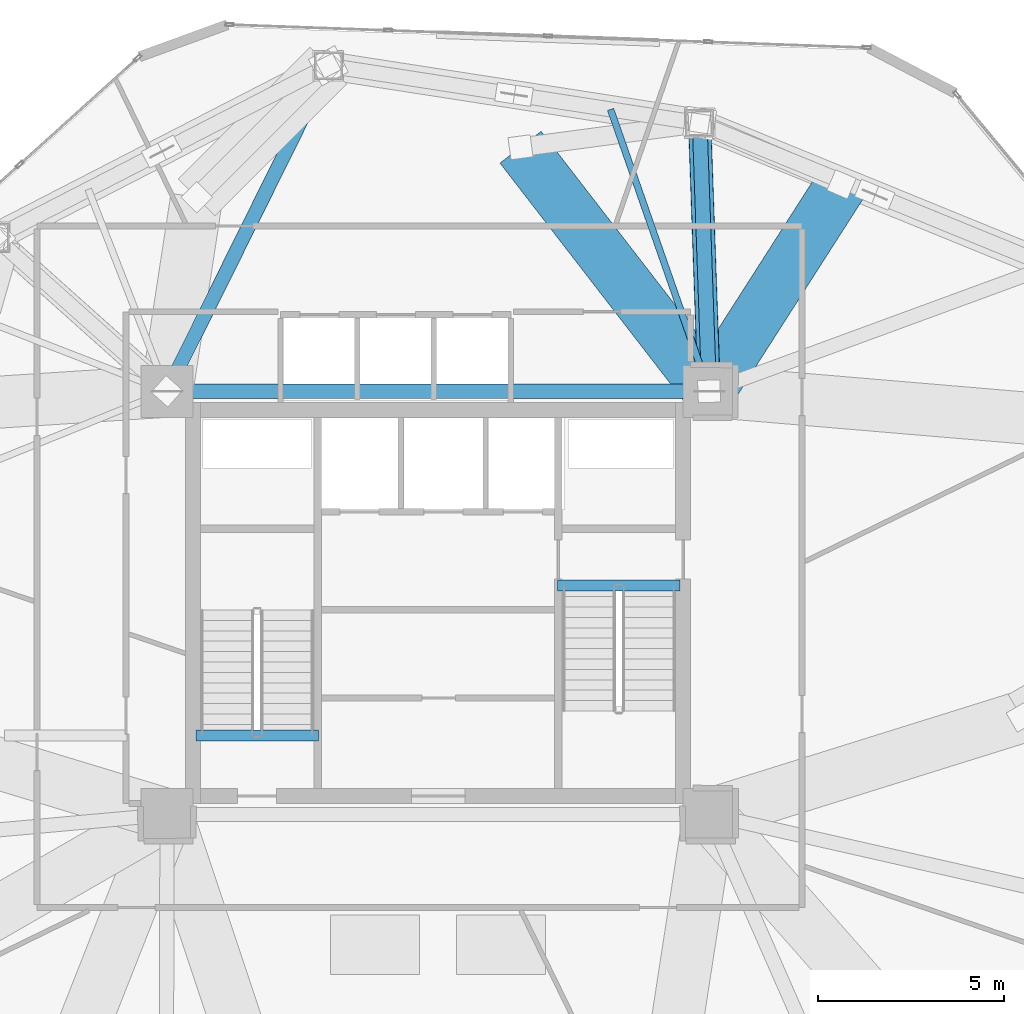
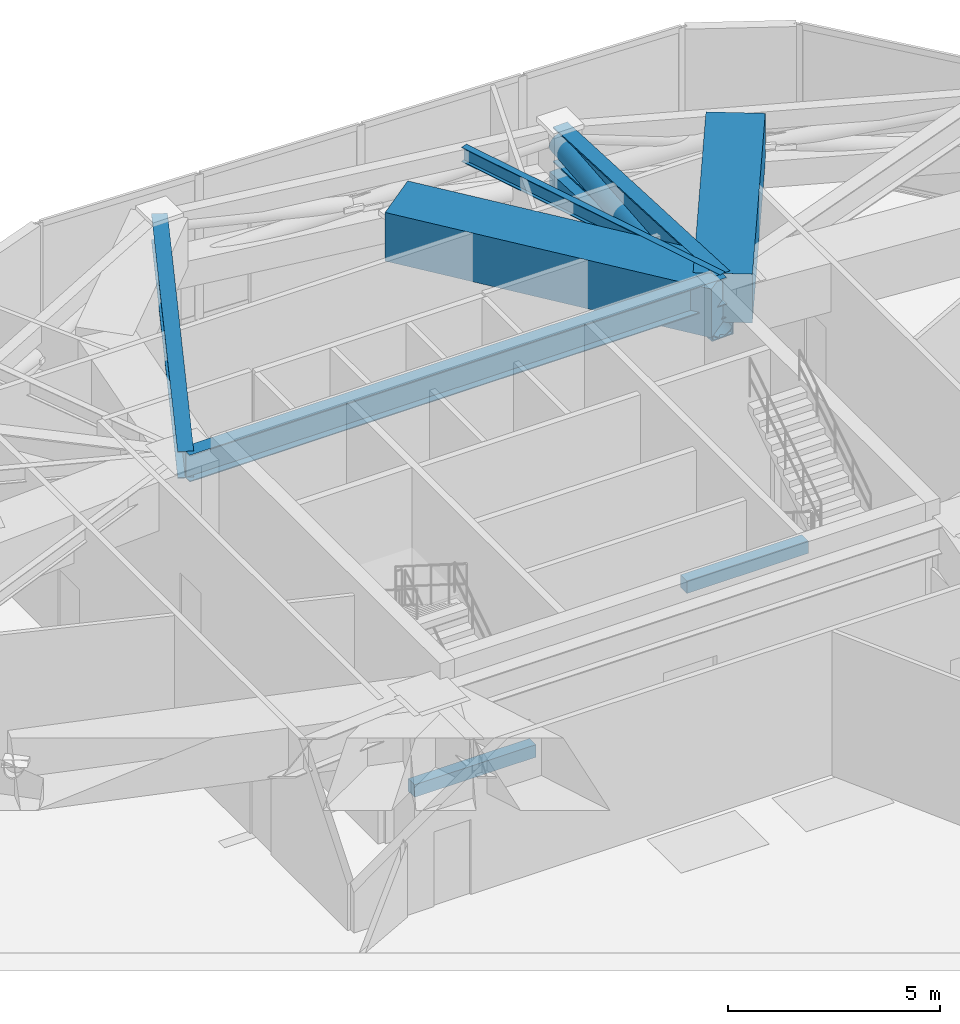
# One storey, part 9 of 25: 8 beams, 2 members.
"""IFC4 building model written with IfcOpenShell, lengths in metres."""

from ifc_helpers import new_model, si_unit, direction, frame, origin, origin_2d, place, context, subcontext, project, spatial, rectangle, hollow_rectangle, hollow_circle, i_section, extrude, source, transform, mapped, material, material_profile, profile_set, type_object, type_shapes, element, save


model = new_model("IFC4")

# Units and contexts
model_context = context("Model", 3, precision=1e-05, world=origin(), true_north=direction((0.0, 1.0)))
body_context = subcontext(model_context, "Body", "Model", "MODEL_VIEW")
ifc_project = project(units=[si_unit("LENGTHUNIT", "METRE"), si_unit("AREAUNIT", "SQUARE_METRE"), si_unit("VOLUMEUNIT", "CUBIC_METRE"), si_unit("PLANEANGLEUNIT", "RADIAN"), si_unit("MASSUNIT", "GRAM", prefix="KILO")], contexts=[model_context])

# Site, building, storey
site_placement = place(None, origin())
site = spatial("IfcSite", under=ifc_project, at=site_placement, CompositionType="ELEMENT")
building_placement = place(site_placement, origin())
building = spatial("IfcBuilding", under=site, at=building_placement, Name="Talar Marvaseh", CompositionType="ELEMENT")
storey_placement = place(building_placement, frame((0.0, 0.0, 84.800048828125)))
storey = spatial("IfcBuildingStorey", under=building, at=storey_placement, Name="L21", CompositionType="ELEMENT", Elevation=84.800048828125)

# Beams
ifc_material_1 = material(Name="Concrete C40/50", Category="concrete")
ifc_material_profile_1 = material_profile(ifc_material_1, rectangle(XDim=0.300048828125, YDim=0.360107421875, at=origin_2d()), Name="RC300x360")
ifc_profile_set_1 = profile_set([ifc_material_profile_1], Name="Concrete C40/50")
beam_type_1 = type_object("IfcBeamType", Name="Concrete Stair Landing Trimmer Beam RC300x360", PredefinedType="SPANDREL", material=ifc_profile_set_1)
for number, where, z_axis, x_axis, name in (
    (1, (22.780029296875, 27.6298828125, -0.179931640625), (-1.0, 0.0, 0.0), (0.0, -1.0, 0.0), "L21 ST-1 Stair Nosing Trimmer Beam"),
    (2, (29.219970703125, 31.669921875, -0.179931640625), (1.0, 0.0, 0.0), (0.0, 1.0, 0.0), "L21 ST-2 Stair Nosing Trimmer Beam"),
):
    element("IfcBeam", number, at=place(storey_placement, frame(where, z_axis=z_axis, x_axis=x_axis)), inside=storey, type_object=beam_type_1, Name=name, PredefinedType="SPANDREL", context=body_context, shape_type="SweptSolid", body=[
        extrude(rectangle(XDim=0.300048828125, YDim=0.360107421875, at=origin_2d()), origin(), (0.0, 0.0, 1.0), 3.300048828125),
    ])
ifc_material_2 = material(Name="Steel S460", Category="steel")
ifc_material_profile_2 = material_profile(ifc_material_2, i_section(OverallWidth=0.39990234375, OverallDepth=1.02099609375, WebThickness=0.02294921875, FlangeThickness=0.0390625, at=origin_2d()), Name="W1000x412")
ifc_profile_set_2 = profile_set([ifc_material_profile_2], Name="Steel S460")
beam_type_2 = type_object("IfcBeamType", Name="Heavy Outrigger Tie Girder W1000x412", PredefinedType="BEAM", material=ifc_profile_set_2)
beam_1_placement = place(storey_placement, frame((33.300048828125, 36.89990234375, 3.639404296875), z_axis=(-0.03518874657, 0.999380684281, 0.0), x_axis=(-0.999380684281, -0.03518874657, 0.0)))
element("IfcBeam", 3, at=beam_1_placement, inside=storey, type_object=beam_type_2, Name="L21 Heavy Outrigger Tie Girder W1000x412", PredefinedType="BEAM", context=body_context, shape_type="SweptSolid", body=[
    extrude(i_section(OverallWidth=0.39990234375, OverallDepth=1.02099609375, WebThickness=0.02294921875, FlangeThickness=0.0390625, at=origin_2d()), origin(), (0.0, 0.0, 1.0), 7.222412109375),
])
ifc_material_3 = material(Name="Concrete C70/85", Category="concrete")
ifc_material_profile_3 = material_profile(ifc_material_3, rectangle(XDim=1.39990234375, YDim=1.39990234375, at=origin_2d()), Name="RC1400x1400")
ifc_profile_set_3 = profile_set([ifc_material_profile_3], Name="Concrete C70/85")
beam_type_3 = type_object("IfcBeamType", Name="Setback Deep Concrete Transfer Girder RC1400x1400", PredefinedType="BEAM", material=ifc_profile_set_3)
beam_2_placement = place(storey_placement, frame((36.865966796875, 42.470947265625, 3.449951171875), z_axis=(-0.539101874952, -0.842240564461, 0.0), x_axis=(0.842240564461, -0.539101874952, 0.0)))
element("IfcBeam", 4, at=beam_2_placement, inside=storey, type_object=beam_type_3, Name="L21 Setback Backspan Transfer Girder 1", PredefinedType="BEAM", context=body_context, shape_type="SweptSolid", body=[
    extrude(rectangle(XDim=1.39990234375, YDim=1.39990234375, at=origin_2d()), origin(), (0.0, 0.0, 1.0), 6.614501953125),
])
beam_3_placement = place(storey_placement, frame((28.221923828125, 43.471923828125, 3.449951171875), z_axis=(0.611428258763, -0.791299870079, 0.0), x_axis=(0.791299870079, 0.611428258763, 0.0)))
element("IfcBeam", 5, at=beam_3_placement, inside=storey, type_object=beam_type_3, Name="L21 Setback Backspan Transfer Girder 12", PredefinedType="BEAM", context=body_context, shape_type="SweptSolid", body=[
    extrude(rectangle(XDim=1.39990234375, YDim=1.39990234375, at=origin_2d()), origin(), (0.0, 0.0, 1.0), 8.305419921875),
])
ifc_material_4 = material(Name="Steel S355", Category="steel")
ifc_material_profile_4 = material_profile(ifc_material_4, i_section(OverallWidth=0.381103515625, OverallDepth=0.77294921875, WebThickness=0.0166015625, FlangeThickness=0.027099609375, at=origin_2d()), Name="W760x257")
ifc_profile_set_4 = profile_set([ifc_material_profile_4], Name="Steel S355")
beam_type_4 = type_object("IfcBeamType", Name="Zone 1 Radial Floor Girder W760x257", PredefinedType="BEAM", material=ifc_profile_set_4)
beam_4_placement = place(storey_placement, frame((18.699951171875, 36.89990234375, 3.763427734375), z_axis=(1.0, 0.0, 0.0), x_axis=(0.0, 1.0, 0.0)))
element("IfcBeam", 6, at=beam_4_placement, inside=storey, type_object=beam_type_4, Name="L21 Zone 1 Radial Floor Girder W760x257", PredefinedType="BEAM", context=body_context, shape_type="SweptSolid", body=[
    extrude(i_section(OverallWidth=0.381103515625, OverallDepth=0.77294921875, WebThickness=0.0166015625, FlangeThickness=0.027099609375, at=origin_2d()), origin(), (0.0, 0.0, 1.0), 14.60009765625),
])
beam_5_placement = place(storey_placement, frame((23.047119140625, 45.6669921875, 3.763427734375), z_axis=(-0.444237233911, -0.895909191831, 0.0), x_axis=(0.895909191831, -0.444237233911, 0.0)))
element("IfcBeam", 7, at=beam_5_placement, inside=storey, type_object=beam_type_4, Name="L21 Zone 1 Radial Floor Girder W760x257", PredefinedType="BEAM", context=body_context, shape_type="SweptSolid", body=[
    extrude(i_section(OverallWidth=0.381103515625, OverallDepth=0.77294921875, WebThickness=0.0166015625, FlangeThickness=0.027099609375, at=origin_2d()), origin(), (0.0, 0.0, 1.0), 9.78564453125),
])
ifc_material_profile_5 = material_profile(ifc_material_4, i_section(OverallWidth=0.179931640625, OverallDepth=0.4130859375, WebThickness=0.009765625, FlangeThickness=0.01611328125, at=origin_2d()), Name="W410x75")
ifc_profile_set_5 = profile_set([ifc_material_profile_5], Name="Steel S355")
beam_type_5 = type_object("IfcBeamType", Name="Zone 1 Secondary Floor Joist W410x75", PredefinedType="JOIST", material=ifc_profile_set_5)
beam_6_placement = place(storey_placement, frame((30.646240234375, 44.48974609375, 3.943359375), z_axis=(0.330058263894, -0.943960561907, 0.0), x_axis=(0.943960561907, 0.330058263894, 0.0)))
element("IfcBeam", 8, at=beam_6_placement, inside=storey, type_object=beam_type_5, Name="L21 Zone 1 Secondary Floor Joist W410x75", PredefinedType="JOIST", context=body_context, shape_type="SweptSolid", body=[
    extrude(i_section(OverallWidth=0.179931640625, OverallDepth=0.4130859375, WebThickness=0.009765625, FlangeThickness=0.01611328125, at=origin_2d()), origin(), (0.0, 0.0, 1.0), 8.04052734375),
])

# Members
ifc_material_profile_6 = material_profile(ifc_material_2, hollow_rectangle(XDim=0.60009765625, YDim=0.60009765625, WallThickness=0.031982421875, at=origin_2d()), Name="BOX600x600x32")
ifc_profile_set_6 = profile_set([ifc_material_profile_6], Name="Steel S460")
member_type_1 = type_object("IfcMemberType", Name="Outrigger Chord Member BOX600x600x32", PredefinedType="CHORD", material=ifc_profile_set_6)
shared_shape_1 = source(origin(), body_context, "Body", "SweptSolid", [
    extrude(hollow_rectangle(XDim=0.60009765625, YDim=0.60009765625, WallThickness=0.031982421875, at=origin_2d()), origin(), (0.0, 0.0, 1.0), 7.222412109375),
])
type_shapes(member_type_1, [shared_shape_1])
member_1_placement = place(storey_placement, frame((33.300048828125, 36.89990234375, 2.599853515625), z_axis=(-0.03518874657, 0.999380684281, 0.0), x_axis=(-0.999380684281, -0.03518874657, 0.0)))
element("IfcMember", 9, at=member_1_placement, inside=storey, type_object=member_type_1, Name="L21 Outrigger Upper Tie Chord 2", PredefinedType="CHORD", context=body_context, shape_type="MappedRepresentation", body=[
    mapped(shared_shape_1, transform((0.0, 0.0, 0.0), x_axis=(1.0, 0.0, 0.0), y_axis=(0.0, 1.0, 0.0), z_axis=(0.0, 0.0, 1.0), scale=1.0)),
])
ifc_material_profile_7 = material_profile(ifc_material_2, hollow_circle(Radius=0.304931640625, WallThickness=0.02490234375, at=origin_2d()), Name="CHS610x25")
ifc_profile_set_7 = profile_set([ifc_material_profile_7], Name="Steel S460")
member_type_2 = type_object("IfcMemberType", Name="Outrigger Diagonal Brace CHS610x25", PredefinedType="BRACE", material=ifc_profile_set_7)
shared_shape_2 = source(origin(), body_context, "Body", "SweptSolid", [
    extrude(hollow_circle(Radius=0.304931640625, WallThickness=0.02490234375, at=origin_2d()), origin(), (0.0, 0.0, 1.0), 7.29833984375),
])
type_shapes(member_type_2, [shared_shape_2])
member_2_placement = place(storey_placement, frame((33.300048828125, 36.89990234375, 2.599853515625), z_axis=(-0.034822646468, 0.988983230386, 0.143873393333), x_axis=(-0.999380684281, -0.03518874657, 0.0)))
element("IfcMember", 10, at=member_2_placement, inside=storey, type_object=member_type_2, Name="L21 Outrigger Diagonal Brace 2", PredefinedType="BRACE", context=body_context, shape_type="MappedRepresentation", body=[
    mapped(shared_shape_2, transform((0.0, 0.0, 0.0), x_axis=(1.0, 0.0, 0.0), y_axis=(0.0, 1.0, 0.0), z_axis=(0.0, 0.0, 1.0), scale=1.0)),
])

save(model, "model.ifc")
